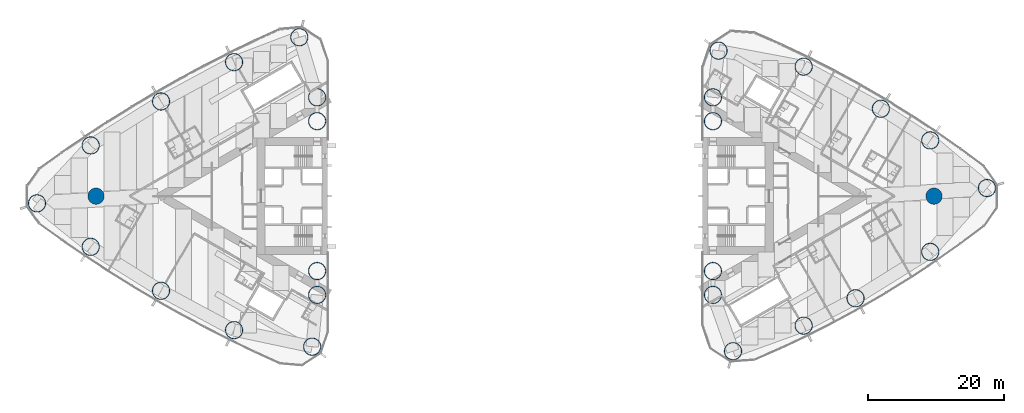
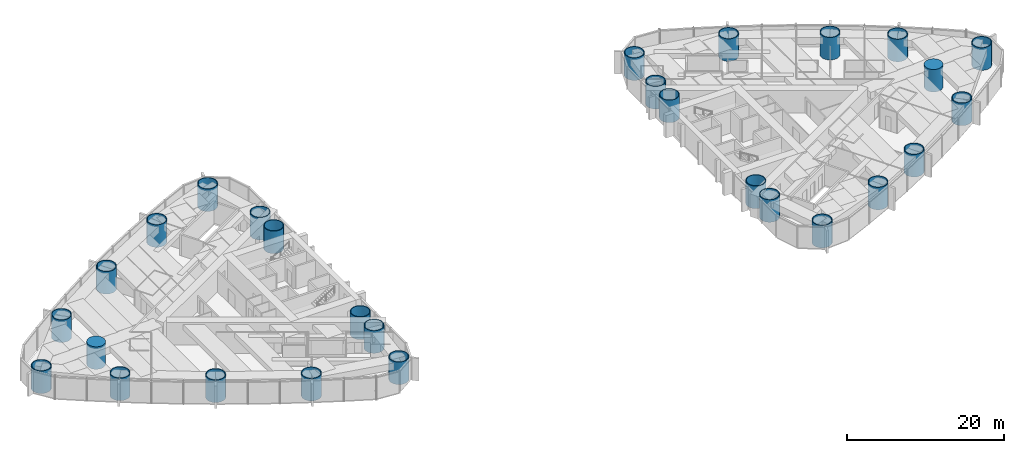
# One storey, part 1 of 18: 28 columns.
"""IFC4 building model written with IfcOpenShell, lengths in metres."""

import ifcopenshell
import ifcopenshell.guid

model = None  # the IFC model being written
_history = None  # IfcOwnerHistory: only IFC2X3 demands one
_inside = {}  # id of a spatial element -> (the spatial element, [elements in it])
_under = {}  # id of a project, library or spatial element -> (it, [spatial elements below it])
_declared = {}  # id of a project -> (the project, [libraries it declares])
_typed = {}  # id of a type object -> (the type object, [elements of that type])
_made_of = {}  # id of a material, layer set ... -> (it, [elements and type objects made of it])


def new_model(schema):
    """Start an empty IFC model of exactly this schema.

    Asked for "IFC4X3", IfcOpenShell would pick the latest addendum, in which some entities
    have other attributes; the version numbers below select the first issue.
    IFC2X3 requires an IfcOwnerHistory on every rooted entity: one is made here for all.
    """
    global model, _history
    if schema == "IFC4X3":
        model = ifcopenshell.file(schema_version=(4, 3, 0, 0))
    else:
        model = ifcopenshell.file(schema=schema)
    _inside.clear()
    _under.clear()
    _declared.clear()
    _typed.clear()
    _made_of.clear()
    _history = None
    if model.schema == "IFC2X3":
        org = make("IfcOrganization", Name="unknown")
        user = make(
            "IfcPersonAndOrganization",
            ThePerson=make("IfcPerson", FamilyName="unknown"),
            TheOrganization=org,
        )
        app = make(
            "IfcApplication",
            ApplicationDeveloper=org,
            Version="unknown",
            ApplicationFullName="unknown",
            ApplicationIdentifier="unknown",
        )
        _history = make(
            "IfcOwnerHistory",
            OwningUser=user,
            OwningApplication=app,
            ChangeAction="ADDED",
            CreationDate=0,
        )
    return model


def make(cls, **values):
    """One entity of the class cls with the attributes given. An attribute that is None is left unset."""
    return model.create_entity(
        cls, **{name: value for name, value in values.items() if value is not None}
    )


def rooted(cls, **values):
    """An entity with a GlobalId (a new one), such as an element, a storey or a relation."""
    return make(cls, GlobalId=ifcopenshell.guid.new(), OwnerHistory=_history, **values)


def si_unit(unit_type, name, prefix=None):
    """IfcSIUnit, for example si_unit("LENGTHUNIT", "METRE", prefix="MILLI")."""
    return make("IfcSIUnit", UnitType=unit_type, Prefix=prefix, Name=name)


def assignment(units):
    """IfcUnitAssignment: the units of a project."""
    return None if units is None else make("IfcUnitAssignment", Units=units)


def point(xyz):
    """IfcCartesianPoint."""
    return None if xyz is None else make("IfcCartesianPoint", Coordinates=xyz)


def direction(xyz):
    """IfcDirection."""
    return None if xyz is None else make("IfcDirection", DirectionRatios=xyz)


def frame(location, z_axis=None, x_axis=None):
    """IfcAxis2Placement3D, a coordinate frame: its origin and axes. An axis left out is left unset."""
    return make(
        "IfcAxis2Placement3D",
        Location=point(location),
        Axis=direction(z_axis),
        RefDirection=direction(x_axis),
    )


def frame_2d(location, x_axis=None):
    """IfcAxis2Placement2D, a coordinate frame in the plane: its origin and x axis."""
    return make(
        "IfcAxis2Placement2D", Location=point(location), RefDirection=direction(x_axis)
    )


def origin():
    """The frame at (0, 0, 0) with its axes left unset."""
    return frame((0.0, 0.0, 0.0))


def origin_2d():
    """The frame at (0, 0) in the plane with its x axis left unset."""
    return frame_2d((0.0, 0.0))


def place(relative_to, where):
    """IfcLocalPlacement: puts the frame where relative to a parent placement (None: the world)."""
    return make(
        "IfcLocalPlacement", PlacementRelTo=relative_to, RelativePlacement=where
    )


def context(
    kind, dimensions, precision=None, world=None, true_north=None, identifier=None
):
    """IfcGeometricRepresentationContext, for example the 3D "Model" context."""
    return make(
        "IfcGeometricRepresentationContext",
        ContextIdentifier=identifier,
        ContextType=kind,
        CoordinateSpaceDimension=dimensions,
        Precision=precision,
        WorldCoordinateSystem=world,
        TrueNorth=true_north,
    )


def subcontext(parent, identifier, kind, view, scale=None):
    """IfcGeometricRepresentationSubContext, for example "Body" below "Model"."""
    return make(
        "IfcGeometricRepresentationSubContext",
        ContextIdentifier=identifier,
        ContextType=kind,
        ParentContext=parent,
        TargetScale=scale,
        TargetView=view,
    )


def project(units=None, contexts=None):
    """IfcProject with its units and contexts."""
    return rooted(
        "IfcProject",
        Name="project",
        RepresentationContexts=contexts,
        UnitsInContext=assignment(units),
    )


def spatial(cls, under=None, at=None, **own):
    """A site, building, storey or space (cls), placed at a placement, below another one or the project."""
    s = rooted(cls, ObjectPlacement=at, **own)
    if under is not None:
        _under.setdefault(under.id(), (under, []))[1].append(s)
    return s


def profile(cls, at=None, kind="AREA", **sizes):
    """A parametric profile (cls). Its sizes go by their IFC names, for example OverallWidth=200.0."""
    return make(cls, ProfileType=kind, Position=at, **sizes)


def circle(**sizes):
    """IfcCircleProfileDef."""
    return profile("IfcCircleProfileDef", **sizes)


def hollow_circle(**sizes):
    """IfcCircleHollowProfileDef."""
    return profile("IfcCircleHollowProfileDef", **sizes)


def extrude(swept, where, along, depth):
    """IfcExtrudedAreaSolid: the profile swept, set in the frame where, extruded along a direction by depth."""
    return make(
        "IfcExtrudedAreaSolid",
        SweptArea=swept,
        Position=where,
        ExtrudedDirection=direction(along),
        Depth=depth,
    )


def shape(context_of_items, identifier, shape_type, items):
    """IfcShapeRepresentation: the items that make up one representation, for example the "Body"."""
    return make(
        "IfcShapeRepresentation",
        ContextOfItems=context_of_items,
        RepresentationIdentifier=identifier,
        RepresentationType=shape_type,
        Items=items,
    )


def material(Name=None, Category=None):
    """IfcMaterial."""
    return make("IfcMaterial", Name=Name, Category=Category)


def material_profile(
    of_material, cross_section, Name=None, Category=None, Priority=None
):
    """IfcMaterialProfile: a cross section and its material."""
    return make(
        "IfcMaterialProfile",
        Name=Name,
        Material=of_material,
        Profile=cross_section,
        Priority=Priority,
        Category=Category,
    )


def profile_set(profiles, Name=None, composite=None):
    """IfcMaterialProfileSet."""
    return make(
        "IfcMaterialProfileSet",
        Name=Name,
        MaterialProfiles=profiles,
        CompositeProfile=composite,
    )


def made_of(thing, what):
    """Note that an element or type object is made of a material, layer set ...; save() writes the relation."""
    if what is not None:
        _made_of.setdefault(what.id(), (what, []))[1].append(thing)
    return thing


def type_object(cls, material=None, **own):
    """A type object (cls), such as IfcWallType, which elements share."""
    return made_of(rooted(cls, **own), material)


def element(
    cls,
    number,
    at=None,
    inside=None,
    cuts=None,
    type_object=None,
    material=None,
    context=None,
    identifier="Body",
    shape_type=None,
    held_by="IfcProductDefinitionShape",
    body=None,
    shapes=None,
    **own,
):
    """One element of the class cls, such as IfcWall. Its Tag is "e" and its number.

    at: its placement. inside: the storey or other place that contains it. cuts: it is an
    opening in that element (IfcRelVoidsElement). A single representation is given by context,
    identifier, shape_type and body (its items); several are given by shapes. held_by: the class
    of the entity that holds the representations. save() writes the other relations.
    """
    e = rooted(cls, Tag="e%d" % number, ObjectPlacement=at, **own)
    if body is not None:
        shapes = [shape(context, identifier, shape_type, body)]
    if shapes is not None:
        e.Representation = make(held_by, Representations=shapes)
    if inside is not None:
        _inside.setdefault(inside.id(), (inside, []))[1].append(e)
    if cuts is not None:
        rooted(
            "IfcRelVoidsElement", RelatingBuildingElement=cuts, RelatedOpeningElement=e
        )
    if type_object is not None:
        _typed.setdefault(type_object.id(), (type_object, []))[1].append(e)
    return made_of(e, material)


def aggregate(whole, parts):
    """IfcRelAggregates: a whole, such as a stair, and the parts it consists of."""
    return rooted("IfcRelAggregates", RelatingObject=whole, RelatedObjects=parts)


def save(model, path):
    """Write the relations noted so far, then the file.

    IfcRelAggregates (storeys below a building ...), IfcRelContainedInSpatialStructure (elements
    in a storey), IfcRelDefinesByType, IfcRelAssociatesMaterial and IfcRelDeclares: one each for
    every whole, place, type object, material and project.
    """
    for whole, parts in _under.values():
        aggregate(whole, parts)
    for where, things in _inside.values():
        rooted(
            "IfcRelContainedInSpatialStructure",
            RelatedElements=things,
            RelatingStructure=where,
        )
    for kind, things in _typed.values():
        rooted("IfcRelDefinesByType", RelatedObjects=things, RelatingType=kind)
    for what, things in _made_of.values():
        rooted("IfcRelAssociatesMaterial", RelatedObjects=things, RelatingMaterial=what)
    for by, libraries in _declared.values():
        rooted("IfcRelDeclares", RelatingContext=by, RelatedDefinitions=libraries)
    model.write(path)


model = new_model("IFC4")

# Units and contexts
model_context = context("Model", 3, precision=1e-05, world=origin(), true_north=direction((0.0, 1.0)))
body_context = subcontext(model_context, "Body", "Model", "MODEL_VIEW")
ifc_project = project(units=[si_unit("LENGTHUNIT", "METRE"), si_unit("AREAUNIT", "SQUARE_METRE"), si_unit("VOLUMEUNIT", "CUBIC_METRE"), si_unit("PLANEANGLEUNIT", "RADIAN"), si_unit("MASSUNIT", "GRAM", prefix="KILO")], contexts=[model_context])

# Site, building, storey
site_placement = place(None, origin())
site = spatial("IfcSite", under=ifc_project, at=site_placement, CompositionType="ELEMENT")
building_placement = place(site_placement, origin())
building = spatial("IfcBuilding", under=site, at=building_placement, Name="Lancet Gate Hotel", CompositionType="ELEMENT")
storey_placement = place(building_placement, frame((0.0, 0.0, 118.60009765625)))
storey = spatial("IfcBuildingStorey", under=building, at=storey_placement, Name="L31", CompositionType="ELEMENT", Elevation=118.60009765625)

# Columns
ifc_material_1 = material(Name="Concrete C80/95", Category="concrete")
ifc_material_profile_1 = material_profile(ifc_material_1, circle(Radius=1.199951171875, at=origin_2d()), Name="RC D2400")
ifc_profile_set_1 = profile_set([ifc_material_profile_1], Name="Concrete C80/95")
column_type_1 = type_object("IfcColumnType", Name="Apex column RC D2400", PredefinedType="COLUMN", material=ifc_profile_set_1)
for number, where, z_axis, x_axis, name in (
    (1, (-61.5, 0.0, 0.0), (0.0, 0.0, 1.0), (1.0, 0.0, 0.0), "T1 column AX L31"),
    (2, (61.5, 0.0, 0.0), (0.0, 0.0, 1.0), (1.0, 0.0, 0.0), "T2 column AX L31"),
):
    element("IfcColumn", number, at=place(storey_placement, frame(where, z_axis=z_axis, x_axis=x_axis)), inside=storey, type_object=column_type_1, Name=name, PredefinedType="COLUMN", context=body_context, shape_type="SweptSolid", body=[
        extrude(circle(Radius=1.199951171875, at=origin_2d()), origin(), (0.0, 0.0, 1.0), 3.5),
    ])
ifc_material_2 = material(Name="Composite filled tube, grade 460 plate, grade 80/95 fill", Category="composite")
ifc_material_profile_2 = material_profile(ifc_material_2, hollow_circle(Radius=1.300048828125, WallThickness=0.10009765625, at=origin_2d()), Name="CHS 2600x100")
ifc_profile_set_2 = profile_set([ifc_material_profile_2], Name="Composite filled tube, grade 460 plate, grade 80/95 fill")
column_type_2 = type_object("IfcColumnType", Name="Apex corner column CFT CHS 2600x100", PredefinedType="COLUMN", material=ifc_profile_set_2)
for number, where, z_axis, x_axis, name in (
    (3, (-70.16796875, -1.06005859375, 0.0), (0.0, 0.0, 1.0), (1.0, 0.0, 0.0), "T1 column CA L31"),
    (4, (69.268798828125, 1.1865234375, 0.0), (0.0, 0.0, 1.0), (1.0, 0.0, 0.0), "T2 column CA L31"),
):
    element("IfcColumn", number, at=place(storey_placement, frame(where, z_axis=z_axis, x_axis=x_axis)), inside=storey, type_object=column_type_2, Name=name, PredefinedType="COLUMN", context=body_context, shape_type="SweptSolid", body=[
        extrude(hollow_circle(Radius=1.300048828125, WallThickness=0.10009765625, at=origin_2d()), origin(), (0.0, 0.0, 1.0), 3.5),
    ])
ifc_material_3 = material(Name="Composite filled tube, grade 460 plate, grade 80/95 fill", Category="composite")
ifc_material_profile_3 = material_profile(ifc_material_3, hollow_circle(Radius=1.300048828125, WallThickness=0.10009765625, at=origin_2d()), Name="CHS 2600x100")
ifc_profile_set_3 = profile_set([ifc_material_profile_3], Name="Composite filled tube, grade 460 plate, grade 80/95 fill")
column_type_3 = type_object("IfcColumnType", Name="Perimeter column CFT CHS 2600x100", PredefinedType="COLUMN", material=ifc_profile_set_3)
for number, where, z_axis, x_axis, name in (
    (5, (-29.781005859375, -22.0947265625, 0.0), (0.0, 0.0, 1.0), (1.0, 0.0, 0.0), "T1 column CN L31"),
    (6, (-31.66455078125, 23.318359375, 0.0), (0.0, 0.0, 1.0), (1.0, 0.0, 0.0), "T1 column CS L31"),
    (7, (-29.050048828125, -11.0, 0.0), (0.0, 0.0, 1.0), (1.0, 0.0, 0.0), "T1 column IN L31"),
    (8, (-29.050048828125, 11.0, 0.0), (0.0, 0.0, 1.0), (1.0, 0.0, 0.0), "T1 column IS L31"),
    (9, (-29.050048828125, 14.5, 0.0), (0.0, 0.0, 1.0), (1.0, 0.0, 0.0), "T1 column IT L31"),
    (10, (-29.050048828125, -14.5, 0.0), (0.0, 0.0, 1.0), (1.0, 0.0, 0.0), "T1 column JT L31"),
    (11, (-62.28662109375, -7.444580078125, 0.0), (0.0, 0.0, 1.0), (1.0, 0.0, 0.0), "T1 column ON1 L31"),
    (12, (-51.963134765625, -13.89501953125, 0.0), (0.0, 0.0, 1.0), (1.0, 0.0, 0.0), "T1 column ON2 L31"),
    (13, (-41.244873046875, -19.665771484375, 0.0), (0.0, 0.0, 1.0), (1.0, 0.0, 0.0), "T1 column ON3 L31"),
    (14, (-41.244873046875, 19.665771484375, 0.0), (0.0, 0.0, 1.0), (1.0, 0.0, 0.0), "T1 column OS1 L31"),
    (15, (-51.963134765625, 13.89501953125, 0.0), (0.0, 0.0, 1.0), (1.0, 0.0, 0.0), "T1 column OS2 L31"),
    (16, (-62.28662109375, 7.444580078125, 0.0), (0.0, 0.0, 1.0), (1.0, 0.0, 0.0), "T1 column OS3 L31"),
    (17, (29.8720703125, 21.35498046875, 0.0), (0.0, 0.0, 1.0), (1.0, 0.0, 0.0), "T2 column CN L31"),
    (18, (31.99609375, -22.76318359375, 0.0), (0.0, 0.0, 1.0), (1.0, 0.0, 0.0), "T2 column CS L31"),
    (19, (29.050048828125, 11.0, 0.0), (0.0, 0.0, 1.0), (1.0, 0.0, 0.0), "T2 column IN L31"),
    (20, (29.050048828125, -11.0, 0.0), (0.0, 0.0, 1.0), (1.0, 0.0, 0.0), "T2 column IS L31"),
    (21, (29.050048828125, -14.5, 0.0), (0.0, 0.0, 1.0), (1.0, 0.0, 0.0), "T2 column IT L31"),
    (22, (29.050048828125, 14.5, 0.0), (0.0, 0.0, 1.0), (1.0, 0.0, 0.0), "T2 column JT L31"),
    (23, (60.940673828125, 8.18115234375, 0.0), (0.0, 0.0, 1.0), (1.0, 0.0, 0.0), "T2 column ON1 L31"),
    (24, (53.697021484375, 12.827392578125, 0.0), (0.0, 0.0, 1.0), (1.0, 0.0, 0.0), "T2 column ON2 L31"),
    (25, (42.3662109375, 19.007080078125, 0.0), (0.0, 0.0, 1.0), (1.0, 0.0, 0.0), "T2 column ON3 L31"),
    (26, (42.3662109375, -19.007080078125, 0.0), (0.0, 0.0, 1.0), (1.0, 0.0, 0.0), "T2 column OS1 L31"),
    (27, (49.97900390625, -14.994384765625, 0.0), (0.0, 0.0, 1.0), (1.0, 0.0, 0.0), "T2 column OS2 L31"),
    (28, (60.940673828125, -8.18115234375, 0.0), (0.0, 0.0, 1.0), (1.0, 0.0, 0.0), "T2 column OS3 L31"),
):
    element("IfcColumn", number, at=place(storey_placement, frame(where, z_axis=z_axis, x_axis=x_axis)), inside=storey, type_object=column_type_3, Name=name, PredefinedType="COLUMN", context=body_context, shape_type="SweptSolid", body=[
        extrude(hollow_circle(Radius=1.300048828125, WallThickness=0.10009765625, at=origin_2d()), origin(), (0.0, 0.0, 1.0), 3.5),
    ])

save(model, "model.ifc")
